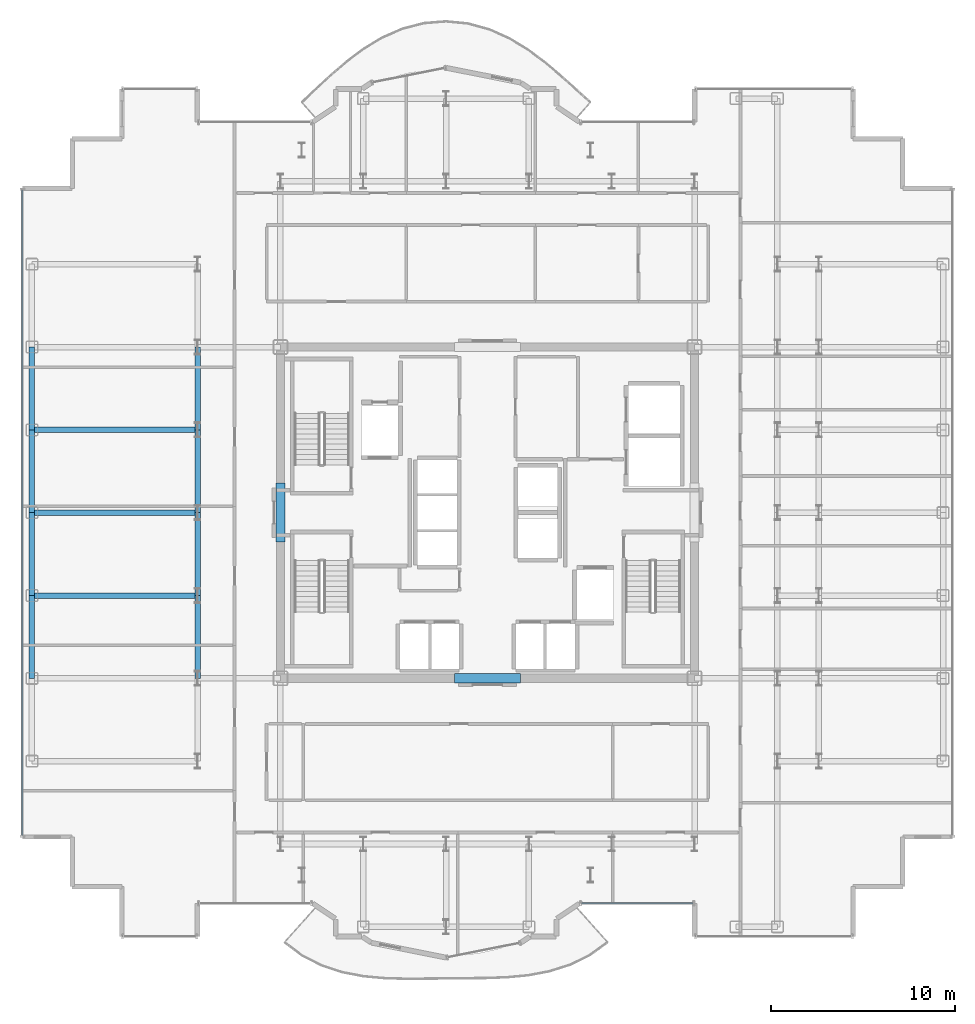
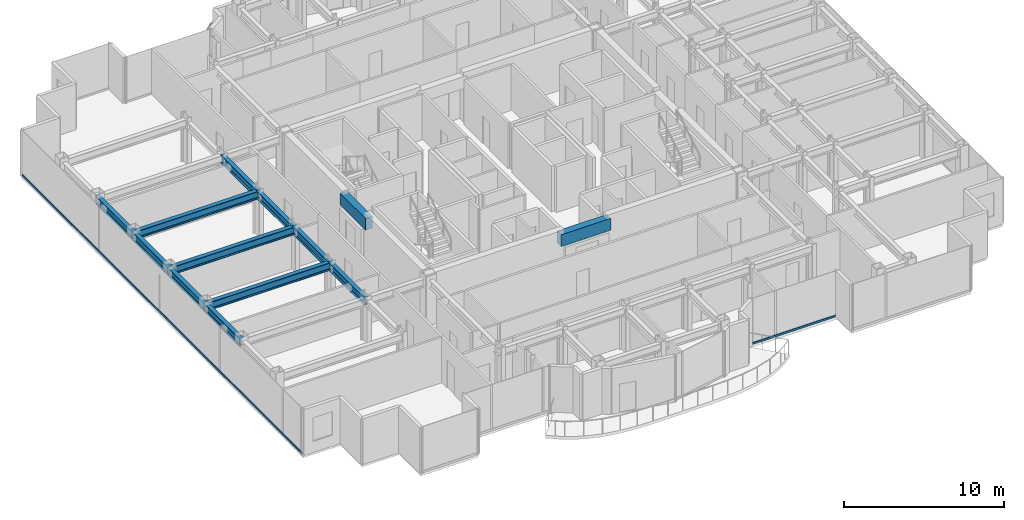
# One storey, part 4 of 21: 13 beams, 2 members, 2 elements without a shape of their own.
"""IFC4 building model written with IfcOpenShell, lengths in metres."""

from ifc_helpers import new_model, si_unit, direction, frame, origin, origin_2d, place, context, subcontext, project, spatial, rectangle, hollow_rectangle, i_section, extrude, source, transform, mapped, material, layer, layer_set, material_profile, profile_set, type_object, element, aggregate, save


model = new_model("IFC4")

# Units and contexts
model_context = context("Model", 3, precision=1e-05, world=origin(), true_north=direction((0.0, 1.0)))
body_context = subcontext(model_context, "Body", "Model", "MODEL_VIEW")
ifc_project = project(units=[si_unit("LENGTHUNIT", "METRE"), si_unit("AREAUNIT", "SQUARE_METRE"), si_unit("VOLUMEUNIT", "CUBIC_METRE"), si_unit("PLANEANGLEUNIT", "RADIAN"), si_unit("MASSUNIT", "GRAM", prefix="KILO")], contexts=[model_context])

# Site, building, storey
site_placement = place(None, origin())
site = spatial("IfcSite", under=ifc_project, at=site_placement, CompositionType="ELEMENT")
building_placement = place(site_placement, origin())
building = spatial("IfcBuilding", under=site, at=building_placement, Name="Nefas-Gora Pilgrimage Tower", CompositionType="ELEMENT")
storey_placement = place(building_placement, frame((0.0, 0.0, 256.0)))
storey = spatial("IfcBuildingStorey", under=building, at=storey_placement, Name="L64", CompositionType="ELEMENT", Elevation=256.0)

# Beams
ifc_material_1 = material(Name="Concrete C50/60", Category="concrete")
ifc_material_profile_1 = material_profile(ifc_material_1, rectangle(XDim=0.5, YDim=0.89990234375, at=origin_2d()), Name="RC 500x900")
ifc_profile_set_1 = profile_set([ifc_material_profile_1], Name="Concrete C50/60")
beam_type_1 = type_object("IfcBeamType", Name="BM-LIN-RC900", PredefinedType="LINTEL", material=ifc_profile_set_1)
shared_shape_1 = source(origin(), body_context, "Body", "SweptSolid", [
    extrude(rectangle(XDim=0.5, YDim=0.89990234375, at=origin_2d()), origin(), (0.0, 0.0, 1.0), 3.60009765625),
])
beam_1_placement = place(storey_placement, frame((-1.800048828125, -9.0, 3.050048828125), z_axis=(1.0, 0.0, 0.0), x_axis=(0.0, 1.0, 0.0)))
element("IfcBeam", 1, at=beam_1_placement, inside=storey, type_object=beam_type_1, Name="L64 Core Coupling Lintel Beam S", PredefinedType="LINTEL", context=body_context, shape_type="MappedRepresentation", body=[
    mapped(shared_shape_1, transform((0.0, 0.0, 0.0), x_axis=(1.0, 0.0, 0.0), y_axis=(0.0, 1.0, 0.0), z_axis=(0.0, 0.0, 1.0), scale=1.0)),
])
shared_shape_2 = source(origin(), body_context, "Body", "SweptSolid", [
    extrude(rectangle(XDim=0.5, YDim=0.89990234375, at=origin_2d()), origin(), (0.0, 0.0, 1.0), 3.2001953125),
])
beam_2_placement = place(storey_placement, frame((-11.25, -1.60009765625, 3.050048828125), z_axis=(0.0, 1.0, 0.0), x_axis=(-1.0, 0.0, 0.0)))
element("IfcBeam", 2, at=beam_2_placement, inside=storey, type_object=beam_type_1, Name="L64 Core Coupling Lintel Beam W", PredefinedType="LINTEL", context=body_context, shape_type="MappedRepresentation", body=[
    mapped(shared_shape_2, transform((0.0, 0.0, 0.0), x_axis=(1.0, 0.0, 0.0), y_axis=(0.0, 1.0, 0.0), z_axis=(0.0, 0.0, 1.0), scale=1.0)),
])
ifc_material_2 = material(Name="Steel S355", Category="steel")
ifc_material_profile_2 = material_profile(ifc_material_2, i_section(OverallWidth=0.300048828125, OverallDepth=0.60009765625, WebThickness=0.015380859375, FlangeThickness=0.030029296875, FilletRadius=0.027099609375, at=origin_2d()), Name="HEB 600")
ifc_profile_set_2 = profile_set([ifc_material_profile_2], Name="Steel S355")
beam_type_2 = type_object("IfcBeamType", Name="BM-SPN-HEB450", PredefinedType="SPANDREL", material=ifc_profile_set_2)
shared_shape_3 = source(origin(), body_context, "Body", "SweptSolid", [
    extrude(i_section(OverallWidth=0.300048828125, OverallDepth=0.60009765625, WebThickness=0.015380859375, FlangeThickness=0.030029296875, FilletRadius=0.027099609375, at=origin_2d()), origin(), (0.0, 0.0, 1.0), 4.5),
])
for number, where, z_axis, x_axis, name in (
    (3, (-24.75, -9.0, 3.199951171875), (0.0, 1.0, 0.0), (-1.0, 0.0, 0.0), "L64 SP-03 beam"),
    (4, (-24.75, -4.5, 3.199951171875), (0.0, 1.0, 0.0), (-1.0, 0.0, 0.0), "L64 SP-03 beam"),
    (5, (-24.75, 0.0, 3.199951171875), (0.0, 1.0, 0.0), (-1.0, 0.0, 0.0), "L64 SP-03 beam"),
    (6, (-24.75, 4.5, 3.199951171875), (0.0, 1.0, 0.0), (-1.0, 0.0, 0.0), "L64 SP-03 beam"),
):
    element("IfcBeam", number, at=place(storey_placement, frame(where, z_axis=z_axis, x_axis=x_axis)), inside=storey, type_object=beam_type_2, Name=name, PredefinedType="SPANDREL", context=body_context, shape_type="MappedRepresentation", body=[
        mapped(shared_shape_3, transform((0.0, 0.0, 0.0), x_axis=(1.0, 0.0, 0.0), y_axis=(0.0, 1.0, 0.0), z_axis=(0.0, 0.0, 1.0), scale=1.0)),
    ])
ifc_material_profile_3 = material_profile(ifc_material_2, i_section(OverallWidth=0.300048828125, OverallDepth=0.60009765625, WebThickness=0.015380859375, FlangeThickness=0.030029296875, FilletRadius=0.027099609375, at=origin_2d()), Name="HEB 600")
ifc_profile_set_3 = profile_set([ifc_material_profile_3], Name="Steel S355")
beam_type_3 = type_object("IfcBeamType", Name="BM-GIR-HEB600", PredefinedType="BEAM", material=ifc_profile_set_3)
shared_shape_4 = source(origin(), body_context, "Body", "SweptSolid", [
    extrude(i_section(OverallWidth=0.300048828125, OverallDepth=0.60009765625, WebThickness=0.015380859375, FlangeThickness=0.030029296875, FilletRadius=0.027099609375, at=origin_2d()), origin(), (0.0, 0.0, 1.0), 9.0),
])
for number, where, z_axis, x_axis, name in (
    (7, (-24.75, -4.5, 3.199951171875), (1.0, 0.0, 0.0), (0.0, 1.0, 0.0), "L64 G-04 beam"),
    (8, (-24.75, 0.0, 3.199951171875), (1.0, 0.0, 0.0), (0.0, 1.0, 0.0), "L64 G-04 beam"),
    (9, (-24.75, 4.5, 3.199951171875), (1.0, 0.0, 0.0), (0.0, 1.0, 0.0), "L64 G-04 beam"),
):
    element("IfcBeam", number, at=place(storey_placement, frame(where, z_axis=z_axis, x_axis=x_axis)), inside=storey, type_object=beam_type_3, Name=name, PredefinedType="BEAM", context=body_context, shape_type="MappedRepresentation", body=[
        mapped(shared_shape_4, transform((0.0, 0.0, 0.0), x_axis=(1.0, 0.0, 0.0), y_axis=(0.0, 1.0, 0.0), z_axis=(0.0, 0.0, 1.0), scale=1.0)),
    ])
shared_shape_5 = source(origin(), body_context, "Body", "SweptSolid", [
    extrude(i_section(OverallWidth=0.300048828125, OverallDepth=0.60009765625, WebThickness=0.015380859375, FlangeThickness=0.030029296875, FilletRadius=0.027099609375, at=origin_2d()), origin(), (0.0, 0.0, 1.0), 4.5),
])
for number, where, z_axis, x_axis, name in (
    (10, (-15.75, -9.0, 3.199951171875), (0.0, 1.0, 0.0), (-1.0, 0.0, 0.0), "L64 G-04 beam"),
    (11, (-15.75, -4.5, 3.199951171875), (0.0, 1.0, 0.0), (-1.0, 0.0, 0.0), "L64 G-04 beam"),
    (12, (-15.75, 0.0, 3.199951171875), (0.0, 1.0, 0.0), (-1.0, 0.0, 0.0), "L64 G-04 beam"),
    (13, (-15.75, 4.5, 3.199951171875), (0.0, 1.0, 0.0), (-1.0, 0.0, 0.0), "L64 G-04 beam"),
):
    element("IfcBeam", number, at=place(storey_placement, frame(where, z_axis=z_axis, x_axis=x_axis)), inside=storey, type_object=beam_type_3, Name=name, PredefinedType="BEAM", context=body_context, shape_type="MappedRepresentation", body=[
        mapped(shared_shape_5, transform((0.0, 0.0, 0.0), x_axis=(1.0, 0.0, 0.0), y_axis=(0.0, 1.0, 0.0), z_axis=(0.0, 0.0, 1.0), scale=1.0)),
    ])

# Curtain wall, member
ifc_material_3 = material(Name="Dark ceramic-fritted solar-control aluminium-glass curtain wall", Category="aluminium")
ifc_layer_1 = layer(ifc_material_3, 0.219970703125)
ifc_layer_set_1 = layer_set([ifc_layer_1], Name="Dark ceramic-fritted solar-control aluminium-glass curtain wall")
curtain_wall_type_1 = type_object("IfcCurtainWallType", Name="CW-SYS-5", PredefinedType="NOTDEFINED", material=ifc_layer_set_1)
curtain_wall_1_placement = place(storey_placement, origin())
curtain_wall_1 = element("IfcCurtainWall", 14, at=curtain_wall_1_placement, inside=storey, type_object=curtain_wall_type_1, Name="L64 Unitised Curtain Wall CW5", PredefinedType="NOTDEFINED")
ifc_material_4 = material(Name="Anodised architectural aluminium", Category="aluminium")
ifc_material_profile_4 = material_profile(ifc_material_4, hollow_rectangle(XDim=0.080078125, YDim=0.159912109375, WallThickness=0.00439453125, InnerFilletRadius=0.00439453125, OuterFilletRadius=0.009033203125, at=origin_2d()), Name="ALU TRANSOM 80x160")
ifc_profile_set_4 = profile_set([ifc_material_profile_4], Name="Anodised architectural aluminium")
member_type_1 = type_object("IfcMemberType", Name="CWM-TRN-5", PredefinedType="USERDEFINED", material=ifc_profile_set_4)
shared_shape_6 = source(origin(), body_context, "Body", "SweptSolid", [
    extrude(hollow_rectangle(XDim=0.080078125, YDim=0.159912109375, WallThickness=0.00439453125, InnerFilletRadius=0.00439453125, OuterFilletRadius=0.009033203125, at=origin_2d()), origin(), (0.0, 0.0, 1.0), 6.052001953125),
])
member_1_placement = place(storey_placement, frame((5.10791015625, -21.219970703125, 0.050048828125), z_axis=(1.0, 0.0, 0.0), x_axis=(0.0, 1.0, 0.0)))
member_1 = element("IfcMember", 15, at=member_1_placement, type_object=member_type_1, Name="CW5 Spandrel Transom", ObjectType="TRANSOM", PredefinedType="USERDEFINED", context=body_context, shape_type="MappedRepresentation", body=[
    mapped(shared_shape_6, transform((0.0, 0.0, 0.0), x_axis=(1.0, 0.0, 0.0), y_axis=(0.0, 1.0, 0.0), z_axis=(0.0, 0.0, 1.0), scale=1.0)),
])
aggregate(curtain_wall_1, [member_1])

ifc_layer_2 = layer(ifc_material_3, 0.219970703125)
ifc_layer_set_2 = layer_set([ifc_layer_2], Name="Dark ceramic-fritted solar-control aluminium-glass curtain wall")
curtain_wall_type_2 = type_object("IfcCurtainWallType", Name="CW-SYS-3", PredefinedType="NOTDEFINED", material=ifc_layer_set_2)
curtain_wall_2_placement = place(storey_placement, origin())
curtain_wall_2 = element("IfcCurtainWall", 16, at=curtain_wall_2_placement, inside=storey, type_object=curtain_wall_type_2, Name="L64 Unitised Curtain Wall CW3", PredefinedType="NOTDEFINED")
ifc_material_profile_5 = material_profile(ifc_material_4, hollow_rectangle(XDim=0.080078125, YDim=0.159912109375, WallThickness=0.00439453125, InnerFilletRadius=0.00439453125, OuterFilletRadius=0.009033203125, at=origin_2d()), Name="ALU TRANSOM 80x160")
ifc_profile_set_5 = profile_set([ifc_material_profile_5], Name="Anodised architectural aluminium")
member_type_2 = type_object("IfcMemberType", Name="CWM-TRN-3", PredefinedType="USERDEFINED", material=ifc_profile_set_5)
shared_shape_7 = source(origin(), body_context, "Body", "SweptSolid", [
    extrude(hollow_rectangle(XDim=0.080078125, YDim=0.159912109375, WallThickness=0.00439453125, InnerFilletRadius=0.00439453125, OuterFilletRadius=0.009033203125, at=origin_2d()), origin(), (0.0, 0.0, 1.0), 35.06005859375),
])
member_2_placement = place(storey_placement, frame((-25.27001953125, 17.530029296875, 0.050048828125), z_axis=(0.0, -1.0, 0.0), x_axis=(1.0, 0.0, 0.0)))
member_2 = element("IfcMember", 17, at=member_2_placement, type_object=member_type_2, Name="CW3 Spandrel Transom", ObjectType="TRANSOM", PredefinedType="USERDEFINED", context=body_context, shape_type="MappedRepresentation", body=[
    mapped(shared_shape_7, transform((0.0, 0.0, 0.0), x_axis=(1.0, 0.0, 0.0), y_axis=(0.0, 1.0, 0.0), z_axis=(0.0, 0.0, 1.0), scale=1.0)),
])
aggregate(curtain_wall_2, [member_2])

save(model, "model.ifc")
